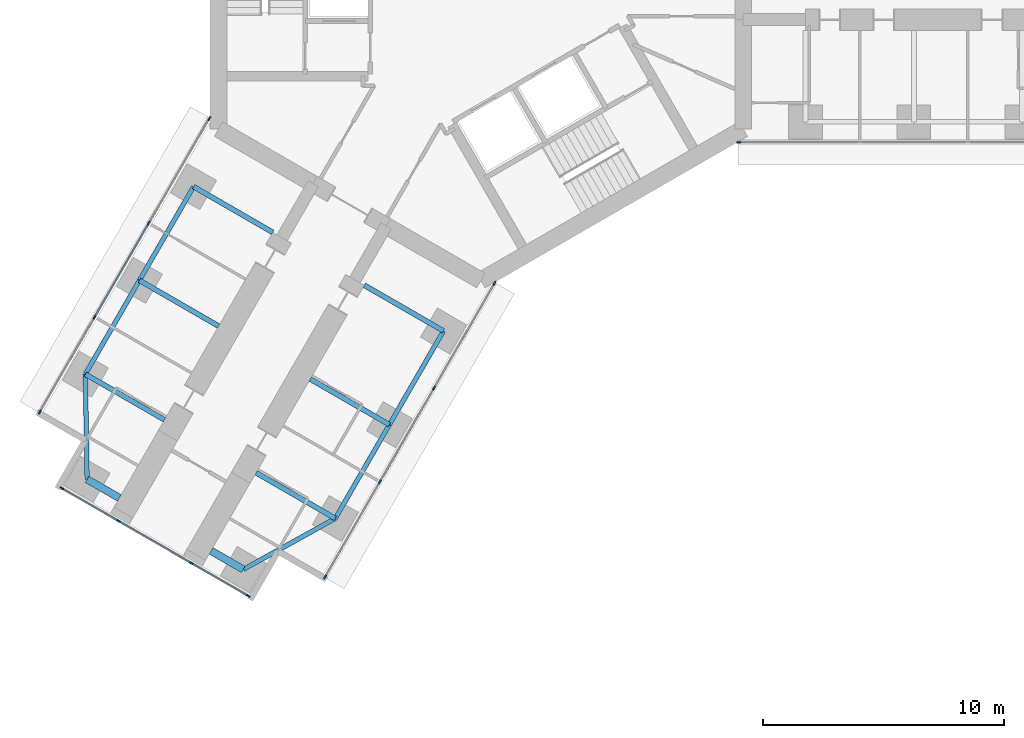
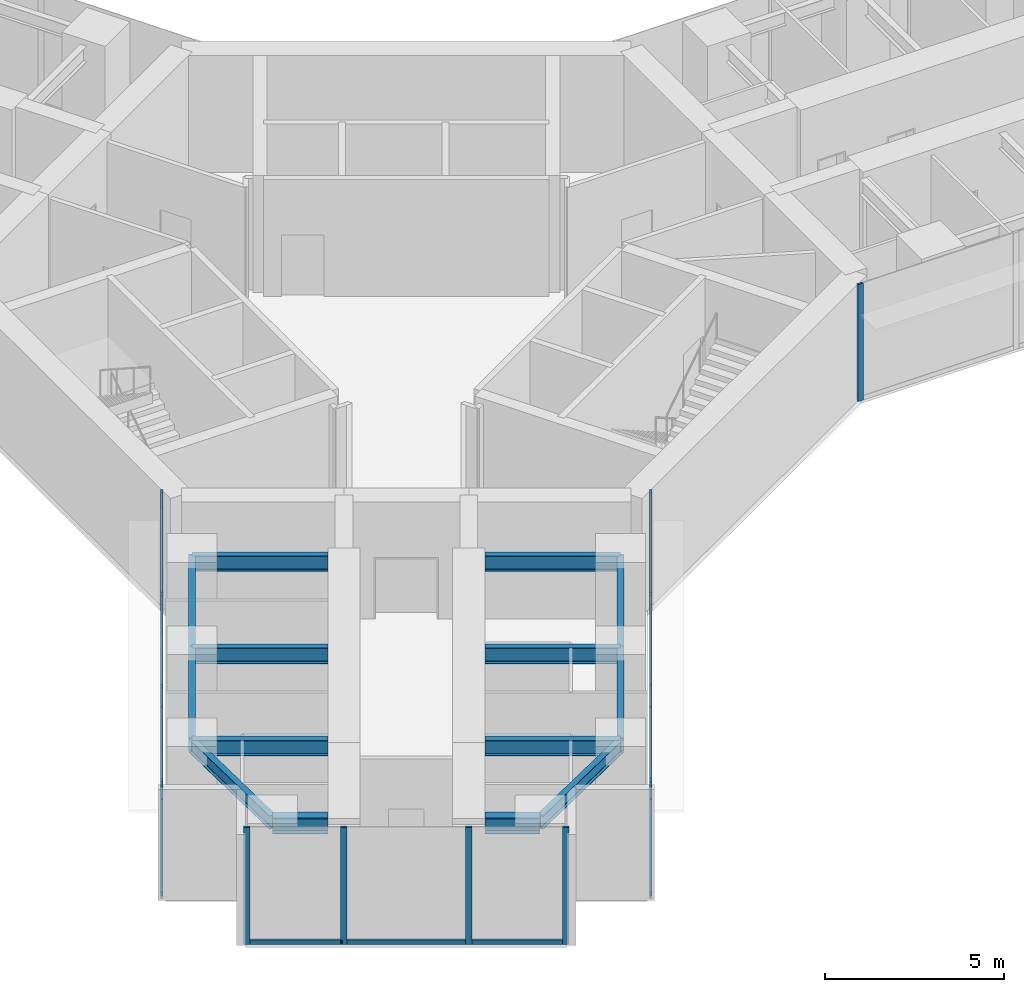
# One storey, part 2 of 25: 22 members, 14 beams, 4 elements without a shape of their own.
"""IFC4 building model written with IfcOpenShell, lengths in metres."""

from ifc_helpers import new_model, si_unit, direction, frame, origin, origin_2d, place, context, subcontext, project, spatial, rectangle, i_section, extrude, material, material_profile, profile_set, type_object, element, aggregate, save


model = new_model("IFC4")

# Units and contexts
model_context = context("Model", 3, precision=1e-05, world=origin(), true_north=direction((0.0, 1.0)))
body_context = subcontext(model_context, "Body", "Model", "MODEL_VIEW")
ifc_project = project(units=[si_unit("LENGTHUNIT", "METRE"), si_unit("AREAUNIT", "SQUARE_METRE"), si_unit("VOLUMEUNIT", "CUBIC_METRE"), si_unit("PLANEANGLEUNIT", "RADIAN"), si_unit("MASSUNIT", "GRAM", prefix="KILO")], contexts=[model_context])

# Site, building, storey
site_placement = place(None, origin())
site = spatial("IfcSite", under=ifc_project, at=site_placement, CompositionType="ELEMENT")
building_placement = place(site_placement, origin())
building = spatial("IfcBuilding", under=site, at=building_placement, Name="Upepo Twin Towers", CompositionType="ELEMENT")
storey_placement = place(building_placement, frame((0.0, 0.0, 72.5)))
storey = spatial("IfcBuildingStorey", under=building, at=storey_placement, Name="L17", CompositionType="ELEMENT", Elevation=72.5)

# Beams
ifc_material_1 = material(Name="Steel S355", Category="steel")
ifc_material_profile_1 = material_profile(ifc_material_1, i_section(OverallWidth=0.1904296875, OverallDepth=0.45703125, WebThickness=0.009033203125, FlangeThickness=0.014404296875, FilletRadius=0.01025390625, at=origin_2d()), Name="UB 457x191x74")
ifc_profile_set_1 = profile_set([ifc_material_profile_1], Name="Steel S355")
beam_type_1 = type_object("IfcBeamType", Name="Beam UB 457x191x74", PredefinedType="BEAM", material=ifc_profile_set_1)
beam_1_placement = place(storey_placement, frame((-1.553955078125, -14.69140625, 3.571533203125), z_axis=(-0.500013631625, -0.866017533419, 0.0), x_axis=(0.866017533419, -0.500013631625, 0.0)))
element("IfcBeam", 1, at=beam_1_placement, inside=storey, type_object=beam_type_1, Name="T1 edge beam CL 13.5-18.0", PredefinedType="BEAM", context=body_context, shape_type="SweptSolid", body=[
    extrude(i_section(OverallWidth=0.1904296875, OverallDepth=0.45703125, WebThickness=0.009033203125, FlangeThickness=0.014404296875, FilletRadius=0.01025390625, at=origin_2d()), origin(), (0.0, 0.0, 1.0), 4.499755859375),
])
beam_2_placement = place(storey_placement, frame((-3.803955078125, -18.58837890625, 3.571533203125), z_axis=(-0.499990139034, -0.866031096941, 0.0), x_axis=(0.866031096941, -0.499990139034, 0.0)))
element("IfcBeam", 2, at=beam_2_placement, inside=storey, type_object=beam_type_1, Name="T1 edge beam CL 18.0-22.5", PredefinedType="BEAM", context=body_context, shape_type="SweptSolid", body=[
    extrude(i_section(OverallWidth=0.1904296875, OverallDepth=0.45703125, WebThickness=0.009033203125, FlangeThickness=0.014404296875, FilletRadius=0.01025390625, at=origin_2d()), origin(), (0.0, 0.0, 1.0), 4.5),
])
beam_3_placement = place(storey_placement, frame((-6.053955078125, -22.485595703125, 3.571533203125), z_axis=(-0.874312600038, -0.485363242752, 0.0), x_axis=(0.485363242752, -0.874312600038, 0.0)))
element("IfcBeam", 3, at=beam_3_placement, inside=storey, type_object=beam_type_1, Name="T1 nose edge beam CL", PredefinedType="BEAM", context=body_context, shape_type="SweptSolid", body=[
    extrude(i_section(OverallWidth=0.1904296875, OverallDepth=0.45703125, WebThickness=0.009033203125, FlangeThickness=0.014404296875, FilletRadius=0.01025390625, at=origin_2d()), origin(), (0.0, 0.0, 1.0), 4.373046875),
])
beam_4_placement = place(storey_placement, frame((-11.946044921875, -8.69140625, 3.571533203125), z_axis=(-0.500013631625, -0.866017533419, 0.0), x_axis=(0.866017533419, -0.500013631625, 0.0)))
element("IfcBeam", 4, at=beam_4_placement, inside=storey, type_object=beam_type_1, Name="T1 edge beam CR 13.5-18.0", PredefinedType="BEAM", context=body_context, shape_type="SweptSolid", body=[
    extrude(i_section(OverallWidth=0.1904296875, OverallDepth=0.45703125, WebThickness=0.009033203125, FlangeThickness=0.014404296875, FilletRadius=0.01025390625, at=origin_2d()), origin(), (0.0, 0.0, 1.0), 4.499755859375),
])
beam_5_placement = place(storey_placement, frame((-14.196044921875, -12.58837890625, 3.571533203125), z_axis=(-0.499990139034, -0.866031096941, 0.0), x_axis=(0.866031096941, -0.499990139034, 0.0)))
element("IfcBeam", 5, at=beam_5_placement, inside=storey, type_object=beam_type_1, Name="T1 edge beam CR 18.0-22.5", PredefinedType="BEAM", context=body_context, shape_type="SweptSolid", body=[
    extrude(i_section(OverallWidth=0.1904296875, OverallDepth=0.45703125, WebThickness=0.009033203125, FlangeThickness=0.014404296875, FilletRadius=0.01025390625, at=origin_2d()), origin(), (0.0, 0.0, 1.0), 4.5),
])
beam_6_placement = place(storey_placement, frame((-16.446044921875, -16.485595703125, 3.571533203125), z_axis=(0.016803880528, -0.999858804832, 0.0), x_axis=(0.999858804832, 0.016803880528, 0.0)))
element("IfcBeam", 6, at=beam_6_placement, inside=storey, type_object=beam_type_1, Name="T1 nose edge beam CR", PredefinedType="BEAM", context=body_context, shape_type="SweptSolid", body=[
    extrude(i_section(OverallWidth=0.1904296875, OverallDepth=0.45703125, WebThickness=0.009033203125, FlangeThickness=0.014404296875, FilletRadius=0.01025390625, at=origin_2d()), origin(), (0.0, 0.0, 1.0), 4.373291015625),
])
ifc_material_2 = material(Name="Steel S355", Category="steel")
ifc_material_profile_2 = material_profile(ifc_material_2, i_section(OverallWidth=0.209228515625, OverallDepth=0.533203125, WebThickness=0.010009765625, FlangeThickness=0.015625, FilletRadius=0.0126953125, at=origin_2d()), Name="UB 533x210x92")
ifc_profile_set_2 = profile_set([ifc_material_profile_2], Name="Steel S355")
beam_type_2 = type_object("IfcBeamType", Name="Beam UB 533x210x92", PredefinedType="BEAM", material=ifc_profile_set_2)
beam_7_placement = place(storey_placement, frame((-1.553955078125, -14.69140625, 3.533447265625), z_axis=(-0.866000483506, 0.500043160704, 0.0), x_axis=(-0.500043160704, -0.866000483506, 0.0)))
element("IfcBeam", 7, at=beam_7_placement, inside=storey, type_object=beam_type_2, Name="T1 girder CL at 13.5", PredefinedType="BEAM", context=body_context, shape_type="SweptSolid", body=[
    extrude(i_section(OverallWidth=0.209228515625, OverallDepth=0.533203125, WebThickness=0.010009765625, FlangeThickness=0.015625, FilletRadius=0.0126953125, at=origin_2d()), origin(), (0.0, 0.0, 1.0), 3.800048828125),
])
for number, where, z_axis, x_axis, name in (
    (8, (-3.803955078125, -18.58837890625, 3.533447265625), (-0.866028304915, 0.499994975061, 0.0), (-0.499994975061, -0.866028304915, 0.0), "T1 girder CL at 18.0"),
    (9, (-6.053955078125, -22.485595703125, 3.533447265625), (-0.866028304915, 0.499994975061, 0.0), (-0.499994975061, -0.866028304915, 0.0), "T1 girder CL at 22.5"),
    (10, (-11.946044921875, -8.69140625, 3.533447265625), (0.866028304915, -0.499994975061, 0.0), (0.499994975061, 0.866028304915, 0.0), "T1 girder CR at 13.5"),
):
    element("IfcBeam", number, at=place(storey_placement, frame(where, z_axis=z_axis, x_axis=x_axis)), inside=storey, type_object=beam_type_2, Name=name, PredefinedType="BEAM", context=body_context, shape_type="SweptSolid", body=[
        extrude(i_section(OverallWidth=0.209228515625, OverallDepth=0.533203125, WebThickness=0.010009765625, FlangeThickness=0.015625, FilletRadius=0.0126953125, at=origin_2d()), origin(), (0.0, 0.0, 1.0), 3.7998046875),
    ])
beam_8_placement = place(storey_placement, frame((-14.196044921875, -12.58837890625, 3.533447265625), z_axis=(0.866000483506, -0.500043160704, 0.0), x_axis=(0.500043160704, 0.866000483506, 0.0)))
element("IfcBeam", 11, at=beam_8_placement, inside=storey, type_object=beam_type_2, Name="T1 girder CR at 18.0", PredefinedType="BEAM", context=body_context, shape_type="SweptSolid", body=[
    extrude(i_section(OverallWidth=0.209228515625, OverallDepth=0.533203125, WebThickness=0.010009765625, FlangeThickness=0.015625, FilletRadius=0.0126953125, at=origin_2d()), origin(), (0.0, 0.0, 1.0), 3.800048828125),
])
beam_9_placement = place(storey_placement, frame((-16.446044921875, -16.485595703125, 3.533447265625), z_axis=(0.866028304915, -0.499994975061, 0.0), x_axis=(0.499994975061, 0.866028304915, 0.0)))
element("IfcBeam", 12, at=beam_9_placement, inside=storey, type_object=beam_type_2, Name="T1 girder CR at 22.5", PredefinedType="BEAM", context=body_context, shape_type="SweptSolid", body=[
    extrude(i_section(OverallWidth=0.209228515625, OverallDepth=0.533203125, WebThickness=0.010009765625, FlangeThickness=0.015625, FilletRadius=0.0126953125, at=origin_2d()), origin(), (0.0, 0.0, 1.0), 3.7998046875),
])
ifc_material_3 = material(Name="Steel S355", Category="steel")
ifc_material_profile_3 = material_profile(ifc_material_3, i_section(OverallWidth=0.31201171875, OverallDepth=0.54345703125, WebThickness=0.0126953125, FlangeThickness=0.020263671875, FilletRadius=0.0126953125, at=origin_2d()), Name="UB 533x312x150")
ifc_profile_set_3 = profile_set([ifc_material_profile_3], Name="Steel S355")
beam_type_3 = type_object("IfcBeamType", Name="Beam UB 533x312x150", PredefinedType="BEAM", material=ifc_profile_set_3)
for number, where, z_axis, x_axis, name in (
    (13, (-9.87744140625, -24.608154296875, 3.5283203125), (-0.866043940782, 0.499967891604, 0.0), (-0.499967891604, -0.866043940782, 0.0), "T1 nose beam CL"),
    (14, (-16.37255859375, -20.858154296875, 3.5283203125), (0.866043940782, -0.499967891604, 0.0), (0.499967891604, 0.866043940782, 0.0), "T1 nose beam CR"),
):
    element("IfcBeam", number, at=place(storey_placement, frame(where, z_axis=z_axis, x_axis=x_axis)), inside=storey, type_object=beam_type_3, Name=name, PredefinedType="BEAM", context=body_context, shape_type="SweptSolid", body=[
        extrude(i_section(OverallWidth=0.31201171875, OverallDepth=0.54345703125, WebThickness=0.0126953125, FlangeThickness=0.020263671875, FilletRadius=0.0126953125, at=origin_2d()), origin(), (0.0, 0.0, 1.0), 1.5498046875),
    ])

# Curtain wall, member
ifc_material_4 = material(Name="Aluminium and fritted glass", Category="aluminium")
curtain_wall_type = type_object("IfcCurtainWallType", Name="Tower curtain wall TW1, fritted glass", PredefinedType="NOTDEFINED", material=ifc_material_4)
curtain_wall_1_placement = place(storey_placement, origin())
curtain_wall_1 = element("IfcCurtainWall", 15, at=curtain_wall_1_placement, inside=storey, type_object=curtain_wall_type, Name="T1 L17 wing A flank R curtain wall", PredefinedType="NOTDEFINED")
ifc_material_5 = material(Name="Aluminium mullion", Category="aluminium")
ifc_material_profile_4 = material_profile(ifc_material_5, rectangle(XDim=0.06494140625, YDim=0.179931640625, at=origin_2d()), Name="MULLION 65x180")
ifc_profile_set_4 = profile_set([ifc_material_profile_4], Name="Aluminium mullion")
member_type_1 = type_object("IfcMemberType", Name="Mullion 65x180 TW1", PredefinedType="MULLION", material=ifc_profile_set_4)
member_1_placement = place(storey_placement, frame((10.7197265625, -6.85009765625, 0.0), z_axis=(0.0, 0.0, 1.0), x_axis=(0.0, -1.0, 0.0)))
member_1 = element("IfcMember", 16, at=member_1_placement, type_object=member_type_1, Name="T1 L17 wing A flank R curtain wall mullion 4", PredefinedType="MULLION", context=body_context, shape_type="SweptSolid", body=[
    extrude(rectangle(XDim=0.06494140625, YDim=0.179931640625, at=origin_2d()), origin(), (0.0, 0.0, 1.0), 4.0),
])
aggregate(curtain_wall_1, [member_1])

# Curtain wall, members
curtain_wall_2_placement = place(storey_placement, origin())
curtain_wall_2 = element("IfcCurtainWall", 17, at=curtain_wall_2_placement, inside=storey, type_object=curtain_wall_type, Name="T1 L17 wing C flank L curtain wall", PredefinedType="NOTDEFINED")
member_2_placement = place(storey_placement, frame((0.572509765625, -12.70849609375, 0.0), z_axis=(0.0, 0.0, 1.0), x_axis=(0.866025389682, -0.500000024426, 0.0)))
member_2 = element("IfcMember", 18, at=member_2_placement, type_object=member_type_1, Name="T1 L17 wing C flank L curtain wall mullion 1", PredefinedType="MULLION", context=body_context, shape_type="SweptSolid", body=[
    extrude(rectangle(XDim=0.06494140625, YDim=0.179931640625, at=origin_2d()), origin(), (0.0, 0.0, 1.0), 4.0),
])
member_3_placement = place(storey_placement, frame((-1.942626953125, -17.06494140625, 0.0), z_axis=(0.0, 0.0, 1.0), x_axis=(0.866025389682, -0.500000024426, 0.0)))
member_3 = element("IfcMember", 19, at=member_3_placement, type_object=member_type_1, Name="T1 L17 wing C flank L curtain wall mullion 2", PredefinedType="MULLION", context=body_context, shape_type="SweptSolid", body=[
    extrude(rectangle(XDim=0.06494140625, YDim=0.179931640625, at=origin_2d()), origin(), (0.0, 0.0, 1.0), 4.0),
])
member_4_placement = place(storey_placement, frame((-4.192626953125, -20.9619140625, 0.0), z_axis=(0.0, 0.0, 1.0), x_axis=(0.866025389682, -0.500000024426, 0.0)))
member_4 = element("IfcMember", 20, at=member_4_placement, type_object=member_type_1, Name="T1 L17 wing C flank L curtain wall mullion 3", PredefinedType="MULLION", context=body_context, shape_type="SweptSolid", body=[
    extrude(rectangle(XDim=0.06494140625, YDim=0.179931640625, at=origin_2d()), origin(), (0.0, 0.0, 1.0), 4.0),
])
member_5_placement = place(storey_placement, frame((-6.4765625, -24.91748046875, 0.0), z_axis=(0.0, 0.0, 1.0), x_axis=(0.866025389682, -0.500000024426, 0.0)))
member_5 = element("IfcMember", 21, at=member_5_placement, type_object=member_type_1, Name="T1 L17 wing C flank L curtain wall mullion 4", PredefinedType="MULLION", context=body_context, shape_type="SweptSolid", body=[
    extrude(rectangle(XDim=0.06494140625, YDim=0.179931640625, at=origin_2d()), origin(), (0.0, 0.0, 1.0), 4.0),
])

curtain_wall_3_placement = place(storey_placement, origin())
curtain_wall_3 = element("IfcCurtainWall", 22, at=curtain_wall_3_placement, inside=storey, type_object=curtain_wall_type, Name="T1 L17 wing C flank R curtain wall", PredefinedType="NOTDEFINED")
member_6_placement = place(storey_placement, frame((-18.341064453125, -18.067626953125, 0.0), z_axis=(0.0, 0.0, 1.0), x_axis=(-0.866025389682, 0.500000024426, 0.0)))
member_6 = element("IfcMember", 23, at=member_6_placement, type_object=member_type_1, Name="T1 L17 wing C flank R curtain wall mullion 1", PredefinedType="MULLION", context=body_context, shape_type="SweptSolid", body=[
    extrude(rectangle(XDim=0.06494140625, YDim=0.179931640625, at=origin_2d()), origin(), (0.0, 0.0, 1.0), 4.0),
])
member_7_placement = place(storey_placement, frame((-16.057373046875, -14.112060546875, 0.0), z_axis=(0.0, 0.0, 1.0), x_axis=(-0.866025389682, 0.500000024426, 0.0)))
member_7 = element("IfcMember", 24, at=member_7_placement, type_object=member_type_1, Name="T1 L17 wing C flank R curtain wall mullion 2", PredefinedType="MULLION", context=body_context, shape_type="SweptSolid", body=[
    extrude(rectangle(XDim=0.06494140625, YDim=0.179931640625, at=origin_2d()), origin(), (0.0, 0.0, 1.0), 4.0),
])
member_8_placement = place(storey_placement, frame((-13.807373046875, -10.21484375, 0.0), z_axis=(0.0, 0.0, 1.0), x_axis=(-0.866025389682, 0.500000024426, 0.0)))
member_8 = element("IfcMember", 25, at=member_8_placement, type_object=member_type_1, Name="T1 L17 wing C flank R curtain wall mullion 3", PredefinedType="MULLION", context=body_context, shape_type="SweptSolid", body=[
    extrude(rectangle(XDim=0.06494140625, YDim=0.179931640625, at=origin_2d()), origin(), (0.0, 0.0, 1.0), 4.0),
])
member_9_placement = place(storey_placement, frame((-11.2919921875, -5.8583984375, 0.0), z_axis=(0.0, 0.0, 1.0), x_axis=(-0.866025389682, 0.500000024426, 0.0)))
member_9 = element("IfcMember", 26, at=member_9_placement, type_object=member_type_1, Name="T1 L17 wing C flank R curtain wall mullion 4", PredefinedType="MULLION", context=body_context, shape_type="SweptSolid", body=[
    extrude(rectangle(XDim=0.06494140625, YDim=0.179931640625, at=origin_2d()), origin(), (0.0, 0.0, 1.0), 4.0),
])

curtain_wall_4_placement = place(storey_placement, origin())
curtain_wall_4 = element("IfcCurtainWall", 27, at=curtain_wall_4_placement, inside=storey, type_object=curtain_wall_type, Name="T1 L17 wing C nose curtain wall", PredefinedType="NOTDEFINED")
member_10_placement = place(storey_placement, frame((-17.4189453125, -21.235595703125, 0.0), z_axis=(0.0, 0.0, 1.0), x_axis=(0.500000030502, 0.866025386174, 0.0)))
member_10 = element("IfcMember", 28, at=member_10_placement, type_object=member_type_1, Name="T1 L17 wing C nose curtain wall mullion 1", PredefinedType="MULLION", context=body_context, shape_type="SweptSolid", body=[
    extrude(rectangle(XDim=0.06494140625, YDim=0.179931640625, at=origin_2d()), origin(), (0.0, 0.0, 1.0), 4.0),
])
member_11_placement = place(storey_placement, frame((-15.0654296875, -22.59423828125, 0.0), z_axis=(0.0, 0.0, 1.0), x_axis=(0.500000030502, 0.866025386174, 0.0)))
member_11 = element("IfcMember", 29, at=member_11_placement, type_object=member_type_1, Name="T1 L17 wing C nose curtain wall mullion 2", PredefinedType="MULLION", context=body_context, shape_type="SweptSolid", body=[
    extrude(rectangle(XDim=0.06494140625, YDim=0.179931640625, at=origin_2d()), origin(), (0.0, 0.0, 1.0), 4.0),
])
member_12_placement = place(storey_placement, frame((-12.034423828125, -24.34423828125, 0.0), z_axis=(0.0, 0.0, 1.0), x_axis=(0.500000030502, 0.866025386174, 0.0)))
member_12 = element("IfcMember", 30, at=member_12_placement, type_object=member_type_1, Name="T1 L17 wing C nose curtain wall mullion 3", PredefinedType="MULLION", context=body_context, shape_type="SweptSolid", body=[
    extrude(rectangle(XDim=0.06494140625, YDim=0.179931640625, at=origin_2d()), origin(), (0.0, 0.0, 1.0), 4.0),
])
member_13_placement = place(storey_placement, frame((-9.68115234375, -25.703125, 0.0), z_axis=(0.0, 0.0, 1.0), x_axis=(0.500000030502, 0.866025386174, 0.0)))
member_13 = element("IfcMember", 31, at=member_13_placement, type_object=member_type_1, Name="T1 L17 wing C nose curtain wall mullion 4", PredefinedType="MULLION", context=body_context, shape_type="SweptSolid", body=[
    extrude(rectangle(XDim=0.06494140625, YDim=0.179931640625, at=origin_2d()), origin(), (0.0, 0.0, 1.0), 4.0),
])

# Member
ifc_material_6 = material(Name="Aluminium transom", Category="aluminium")
ifc_material_profile_5 = material_profile(ifc_material_6, rectangle(XDim=0.06494140625, YDim=0.14990234375, at=origin_2d()), Name="TRANSOM 65x150")
ifc_profile_set_5 = profile_set([ifc_material_profile_5], Name="Aluminium transom")
member_type_2 = type_object("IfcMemberType", Name="Transom 65x150 TW1", PredefinedType="USERDEFINED", material=ifc_profile_set_5)
member_14_placement = place(storey_placement, frame((0.55615234375, -12.736572265625, 0.074951171875), z_axis=(-0.499983492876, -0.866034933967, 0.0), x_axis=(0.866034933967, -0.499983492876, 0.0)))
member_14 = element("IfcMember", 32, at=member_14_placement, type_object=member_type_2, Name="T1 L17 wing C flank L curtain wall transom 1", ObjectType="TRANSOM", PredefinedType="USERDEFINED", context=body_context, shape_type="SweptSolid", body=[
    extrude(rectangle(XDim=0.06494140625, YDim=0.14990234375, at=origin_2d()), origin(), (0.0, 0.0, 1.0), 4.965576171875),
])

member_15_placement = place(storey_placement, frame((-1.958984375, -17.093017578125, 0.074951171875), z_axis=(-0.500005184116, -0.866022410713, 0.0), x_axis=(0.866022410713, -0.500005184116, 0.0)))
member_15 = element("IfcMember", 33, at=member_15_placement, type_object=member_type_2, Name="T1 L17 wing C flank L curtain wall transom 2", ObjectType="TRANSOM", PredefinedType="USERDEFINED", context=body_context, shape_type="SweptSolid", body=[
    extrude(rectangle(XDim=0.06494140625, YDim=0.14990234375, at=origin_2d()), origin(), (0.0, 0.0, 1.0), 4.43505859375),
])

member_16_placement = place(storey_placement, frame((-4.208984375, -20.990234375, 0.074951171875), z_axis=(-0.500005646842, -0.866022143554, 0.0), x_axis=(0.866022143554, -0.500005646842, 0.0)))
member_16 = element("IfcMember", 34, at=member_16_placement, type_object=member_type_2, Name="T1 L17 wing C flank L curtain wall transom 3", ObjectType="TRANSOM", PredefinedType="USERDEFINED", context=body_context, shape_type="SweptSolid", body=[
    extrude(rectangle(XDim=0.06494140625, YDim=0.14990234375, at=origin_2d()), origin(), (0.0, 0.0, 1.0), 4.50244140625),
])

aggregate(curtain_wall_2, [member_2, member_3, member_4, member_5, member_14, member_15, member_16])

member_17_placement = place(storey_placement, frame((-18.32470703125, -18.03955078125, 0.074951171875), z_axis=(0.499982167615, 0.866035699072, 0.0), x_axis=(-0.866035699072, 0.499982167615, 0.0)))
member_17 = element("IfcMember", 35, at=member_17_placement, type_object=member_type_2, Name="T1 L17 wing C flank R curtain wall transom 1", ObjectType="TRANSOM", PredefinedType="USERDEFINED", context=body_context, shape_type="SweptSolid", body=[
    extrude(rectangle(XDim=0.06494140625, YDim=0.14990234375, at=origin_2d()), origin(), (0.0, 0.0, 1.0), 4.502685546875),
])

member_18_placement = place(storey_placement, frame((-16.041015625, -14.083984375, 0.074951171875), z_axis=(0.500005184116, 0.866022410713, 0.0), x_axis=(-0.866022410713, 0.500005184116, 0.0)))
member_18 = element("IfcMember", 36, at=member_18_placement, type_object=member_type_2, Name="T1 L17 wing C flank R curtain wall transom 2", ObjectType="TRANSOM", PredefinedType="USERDEFINED", context=body_context, shape_type="SweptSolid", body=[
    extrude(rectangle(XDim=0.06494140625, YDim=0.14990234375, at=origin_2d()), origin(), (0.0, 0.0, 1.0), 4.43505859375),
])

member_19_placement = place(storey_placement, frame((-13.791015625, -10.186767578125, 0.074951171875), z_axis=(0.50000478328, 0.866022642139, 0.0), x_axis=(-0.866022642139, 0.50000478328, 0.0)))
member_19 = element("IfcMember", 37, at=member_19_placement, type_object=member_type_2, Name="T1 L17 wing C flank R curtain wall transom 3", ObjectType="TRANSOM", PredefinedType="USERDEFINED", context=body_context, shape_type="SweptSolid", body=[
    extrude(rectangle(XDim=0.06494140625, YDim=0.14990234375, at=origin_2d()), origin(), (0.0, 0.0, 1.0), 4.96533203125),
])

aggregate(curtain_wall_3, [member_6, member_7, member_8, member_9, member_17, member_18, member_19])

member_20_placement = place(storey_placement, frame((-17.390869140625, -21.251708984375, 0.074951171875), z_axis=(0.865997053448, -0.500049101008, 0.0), x_axis=(0.500049101008, 0.865997053448, 0.0)))
member_20 = element("IfcMember", 38, at=member_20_placement, type_object=member_type_2, Name="T1 L17 wing C nose curtain wall transom 1", ObjectType="TRANSOM", PredefinedType="USERDEFINED", context=body_context, shape_type="SweptSolid", body=[
    extrude(rectangle(XDim=0.06494140625, YDim=0.14990234375, at=origin_2d()), origin(), (0.0, 0.0, 1.0), 2.652587890625),
])

member_21_placement = place(storey_placement, frame((-15.037353515625, -22.610595703125, 0.074951171875), z_axis=(0.866025804792, -0.499999305434, 0.0), x_axis=(0.499999305434, 0.866025804792, 0.0)))
member_21 = element("IfcMember", 39, at=member_21_placement, type_object=member_type_2, Name="T1 L17 wing C nose curtain wall transom 2", ObjectType="TRANSOM", PredefinedType="USERDEFINED", context=body_context, shape_type="SweptSolid", body=[
    extrude(rectangle(XDim=0.06494140625, YDim=0.14990234375, at=origin_2d()), origin(), (0.0, 0.0, 1.0), 3.43505859375),
])

member_22_placement = place(storey_placement, frame((-12.00634765625, -24.360595703125, 0.074951171875), z_axis=(0.866036909293, -0.499980071345, 0.0), x_axis=(0.499980071345, 0.866036909293, 0.0)))
member_22 = element("IfcMember", 40, at=member_22_placement, type_object=member_type_2, Name="T1 L17 wing C nose curtain wall transom 3", ObjectType="TRANSOM", PredefinedType="USERDEFINED", context=body_context, shape_type="SweptSolid", body=[
    extrude(rectangle(XDim=0.06494140625, YDim=0.14990234375, at=origin_2d()), origin(), (0.0, 0.0, 1.0), 2.65234375),
])

aggregate(curtain_wall_4, [member_10, member_11, member_12, member_13, member_20, member_21, member_22])

save(model, "model.ifc")
